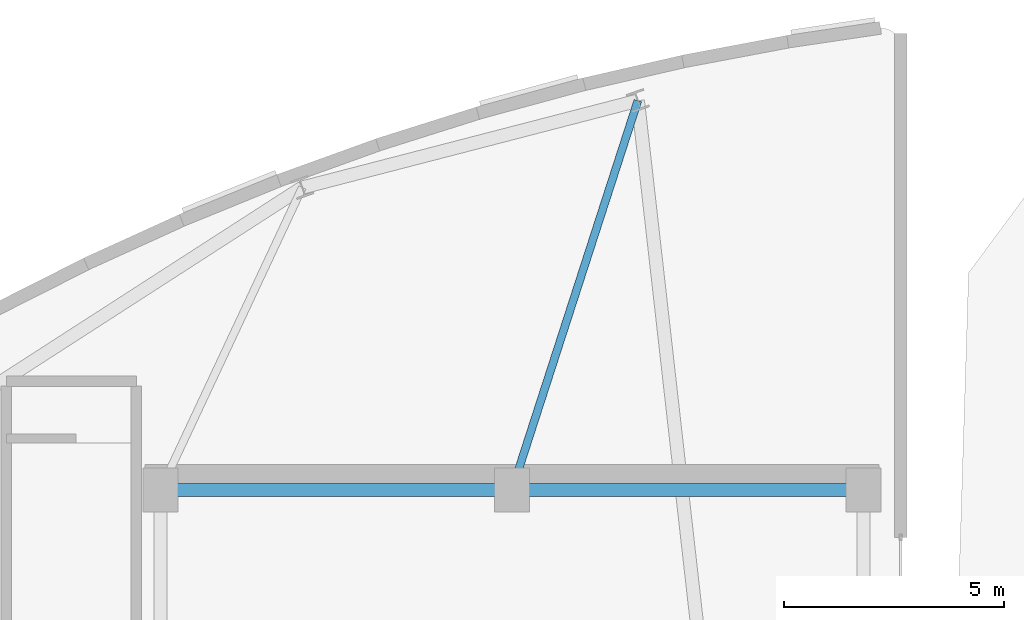
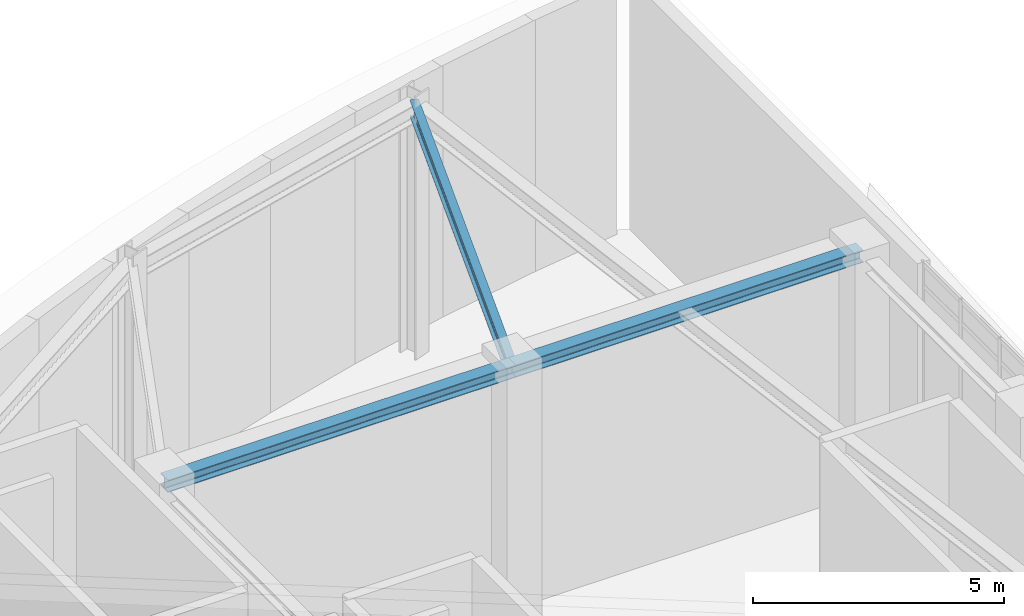
# One storey, part 5 of 9: 3 beams.
"""IFC4 building model written with IfcOpenShell, lengths in metres."""

from ifc_helpers import new_model, si_unit, direction, frame, origin, origin_2d, place, context, subcontext, project, spatial, i_section, extrude, material, material_profile, profile_set, type_object, element, save


model = new_model("IFC4")

# Units and contexts
model_context = context("Model", 3, precision=1e-05, world=origin(), true_north=direction((0.0, 1.0)))
body_context = subcontext(model_context, "Body", "Model", "MODEL_VIEW")
ifc_project = project(units=[si_unit("LENGTHUNIT", "METRE"), si_unit("AREAUNIT", "SQUARE_METRE"), si_unit("VOLUMEUNIT", "CUBIC_METRE"), si_unit("PLANEANGLEUNIT", "RADIAN"), si_unit("MASSUNIT", "GRAM", prefix="KILO")], contexts=[model_context])

# Site, building, storey
site_placement = place(None, origin())
site = spatial("IfcSite", under=ifc_project, at=site_placement, CompositionType="ELEMENT")
building_placement = place(site_placement, origin())
building = spatial("IfcBuilding", under=site, at=building_placement, Name="Ndelora Gate Hotel", CompositionType="ELEMENT")
storey_placement = place(building_placement, frame((0.0, 0.0, 311.60009765625)))
storey = spatial("IfcBuildingStorey", under=building, at=storey_placement, Name="RF2", CompositionType="ELEMENT", Elevation=311.60009765625)

# Beams
ifc_material = material(Name="Steel S355", Category="steel")
ifc_material_profile_1 = material_profile(ifc_material, i_section(OverallWidth=0.300048828125, OverallDepth=0.300048828125, WebThickness=0.010986328125, FlangeThickness=0.01904296875, FilletRadius=0.027099609375, at=origin_2d()), Name="HEB 300")
ifc_profile_set_1 = profile_set([ifc_material_profile_1], Name="Steel S355")
beam_type_1 = type_object("IfcBeamType", Name="BM-CORE-300", PredefinedType="BEAM", material=ifc_profile_set_1)
for number, where, z_axis, x_axis, name in (
    (1, (-8.0, 6.60009765625, 5.989990234375), (1.0, 0.0, 0.0), (0.0, 1.0, 0.0), "RF2 Core Tie Girder CC7-CC6"),
    (2, (0.0, 6.60009765625, 5.989990234375), (1.0, 0.0, 0.0), (0.0, 1.0, 0.0), "RF2 Core Tie Girder CC6-CC5"),
):
    element("IfcBeam", number, at=place(storey_placement, frame(where, z_axis=z_axis, x_axis=x_axis)), inside=storey, type_object=beam_type_1, Name=name, PredefinedType="BEAM", context=body_context, shape_type="SweptSolid", body=[
        extrude(i_section(OverallWidth=0.300048828125, OverallDepth=0.300048828125, WebThickness=0.010986328125, FlangeThickness=0.01904296875, FilletRadius=0.027099609375, at=origin_2d()), origin(), (0.0, 0.0, 1.0), 8.0),
    ])
ifc_material_profile_2 = material_profile(ifc_material, i_section(OverallWidth=0.179931640625, OverallDepth=0.39990234375, WebThickness=0.008544921875, FlangeThickness=0.013427734375, FilletRadius=0.02099609375, at=origin_2d()), Name="IPE 400")
ifc_profile_set_2 = profile_set([ifc_material_profile_2], Name="Steel S355")
beam_type_2 = type_object("IfcBeamType", Name="BM-RAD-400", PredefinedType="BEAM", material=ifc_profile_set_2)
beam_placement = place(storey_placement, frame((0.0, 6.60009765625, 5.93994140625), z_axis=(0.307689759964, 0.951486737487, 0.0), x_axis=(-0.951486737487, 0.307689759964, 0.0)))
element("IfcBeam", 3, at=beam_placement, inside=storey, type_object=beam_type_2, Name="RF2 structural beam FB-5", PredefinedType="BEAM", context=body_context, shape_type="SweptSolid", body=[
    extrude(i_section(OverallWidth=0.179931640625, OverallDepth=0.39990234375, WebThickness=0.008544921875, FlangeThickness=0.013427734375, FilletRadius=0.02099609375, at=origin_2d()), origin(), (0.0, 0.0, 1.0), 9.31298828125),
])

save(model, "model.ifc")
